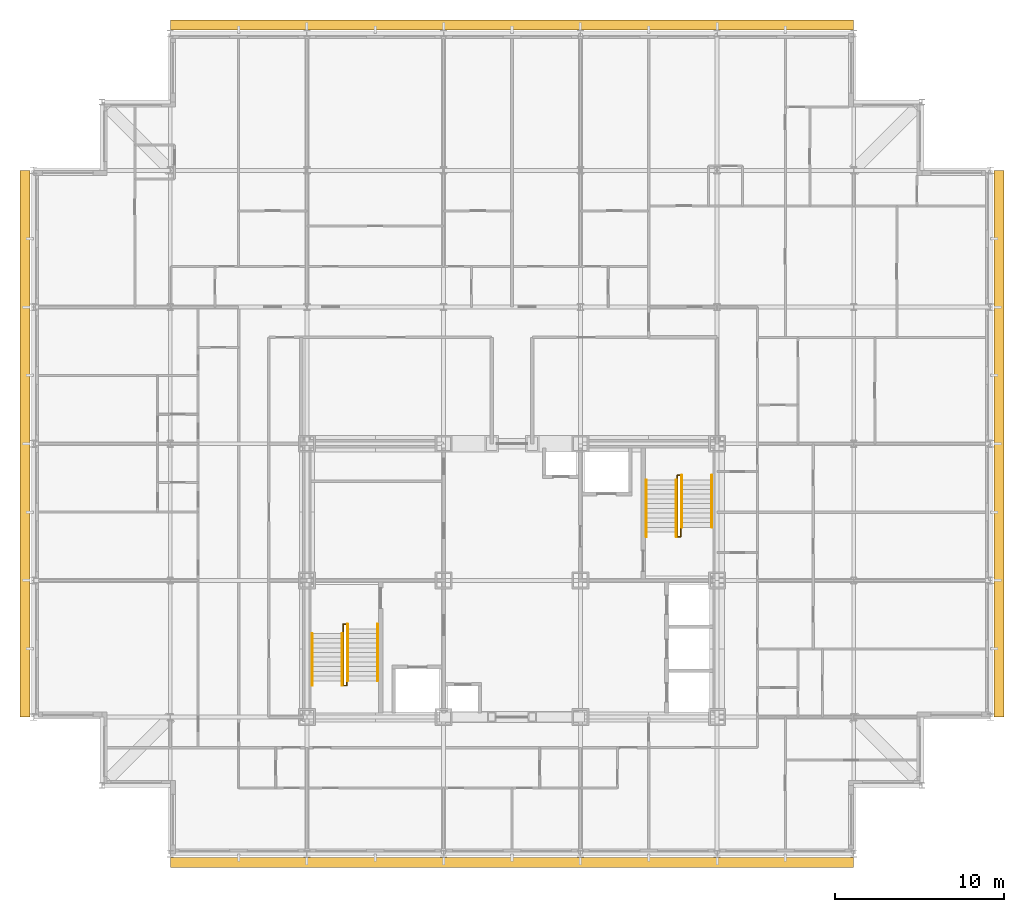
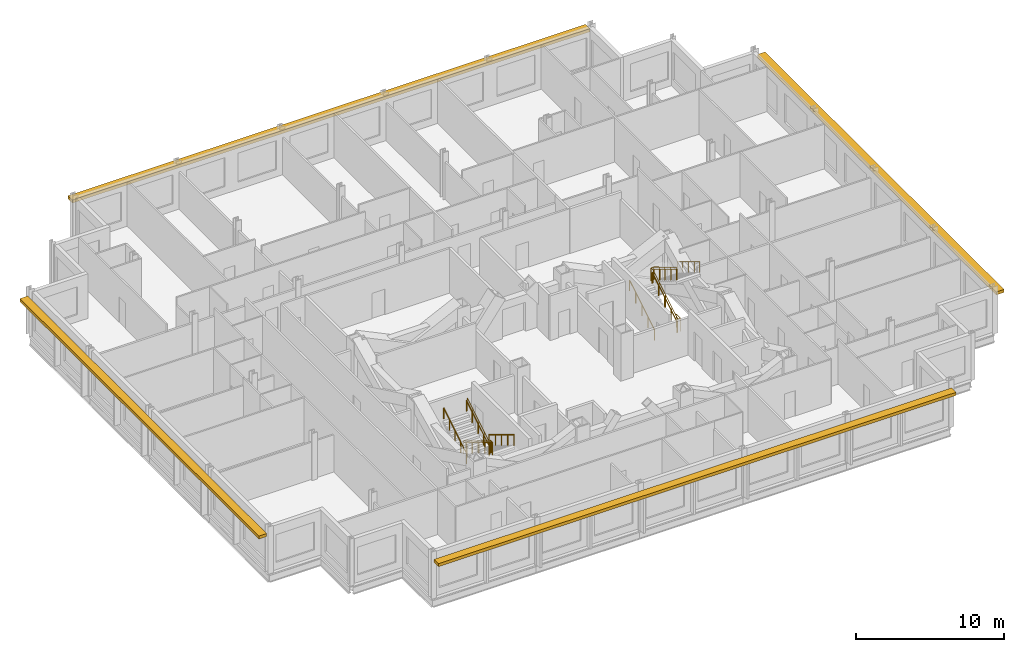
# One storey, part 15 of 15: 10 railings, 4 shading devices.
"""IFC4 building model written with IfcOpenShell, lengths in metres."""

import ifcopenshell
import ifcopenshell.guid

model = None  # the IFC model being written
_history = None  # IfcOwnerHistory: only IFC2X3 demands one
_inside = {}  # id of a spatial element -> (the spatial element, [elements in it])
_under = {}  # id of a project, library or spatial element -> (it, [spatial elements below it])
_declared = {}  # id of a project -> (the project, [libraries it declares])
_typed = {}  # id of a type object -> (the type object, [elements of that type])
_made_of = {}  # id of a material, layer set ... -> (it, [elements and type objects made of it])


def new_model(schema):
    """Start an empty IFC model of exactly this schema.

    Asked for "IFC4X3", IfcOpenShell would pick the latest addendum, in which some entities
    have other attributes; the version numbers below select the first issue.
    IFC2X3 requires an IfcOwnerHistory on every rooted entity: one is made here for all.
    """
    global model, _history
    if schema == "IFC4X3":
        model = ifcopenshell.file(schema_version=(4, 3, 0, 0))
    else:
        model = ifcopenshell.file(schema=schema)
    _inside.clear()
    _under.clear()
    _declared.clear()
    _typed.clear()
    _made_of.clear()
    _history = None
    if model.schema == "IFC2X3":
        org = make("IfcOrganization", Name="unknown")
        user = make(
            "IfcPersonAndOrganization",
            ThePerson=make("IfcPerson", FamilyName="unknown"),
            TheOrganization=org,
        )
        app = make(
            "IfcApplication",
            ApplicationDeveloper=org,
            Version="unknown",
            ApplicationFullName="unknown",
            ApplicationIdentifier="unknown",
        )
        _history = make(
            "IfcOwnerHistory",
            OwningUser=user,
            OwningApplication=app,
            ChangeAction="ADDED",
            CreationDate=0,
        )
    return model


def make(cls, **values):
    """One entity of the class cls with the attributes given. An attribute that is None is left unset."""
    return model.create_entity(
        cls, **{name: value for name, value in values.items() if value is not None}
    )


def rooted(cls, **values):
    """An entity with a GlobalId (a new one), such as an element, a storey or a relation."""
    return make(cls, GlobalId=ifcopenshell.guid.new(), OwnerHistory=_history, **values)


def si_unit(unit_type, name, prefix=None):
    """IfcSIUnit, for example si_unit("LENGTHUNIT", "METRE", prefix="MILLI")."""
    return make("IfcSIUnit", UnitType=unit_type, Prefix=prefix, Name=name)


def assignment(units):
    """IfcUnitAssignment: the units of a project."""
    return None if units is None else make("IfcUnitAssignment", Units=units)


def point(xyz):
    """IfcCartesianPoint."""
    return None if xyz is None else make("IfcCartesianPoint", Coordinates=xyz)


def direction(xyz):
    """IfcDirection."""
    return None if xyz is None else make("IfcDirection", DirectionRatios=xyz)


def frame(location, z_axis=None, x_axis=None):
    """IfcAxis2Placement3D, a coordinate frame: its origin and axes. An axis left out is left unset."""
    return make(
        "IfcAxis2Placement3D",
        Location=point(location),
        Axis=direction(z_axis),
        RefDirection=direction(x_axis),
    )


def frame_2d(location, x_axis=None):
    """IfcAxis2Placement2D, a coordinate frame in the plane: its origin and x axis."""
    return make(
        "IfcAxis2Placement2D", Location=point(location), RefDirection=direction(x_axis)
    )


def origin():
    """The frame at (0, 0, 0) with its axes left unset."""
    return frame((0.0, 0.0, 0.0))


def origin_2d():
    """The frame at (0, 0) in the plane with its x axis left unset."""
    return frame_2d((0.0, 0.0))


def place(relative_to, where):
    """IfcLocalPlacement: puts the frame where relative to a parent placement (None: the world)."""
    return make(
        "IfcLocalPlacement", PlacementRelTo=relative_to, RelativePlacement=where
    )


def context(
    kind, dimensions, precision=None, world=None, true_north=None, identifier=None
):
    """IfcGeometricRepresentationContext, for example the 3D "Model" context."""
    return make(
        "IfcGeometricRepresentationContext",
        ContextIdentifier=identifier,
        ContextType=kind,
        CoordinateSpaceDimension=dimensions,
        Precision=precision,
        WorldCoordinateSystem=world,
        TrueNorth=true_north,
    )


def subcontext(parent, identifier, kind, view, scale=None):
    """IfcGeometricRepresentationSubContext, for example "Body" below "Model"."""
    return make(
        "IfcGeometricRepresentationSubContext",
        ContextIdentifier=identifier,
        ContextType=kind,
        ParentContext=parent,
        TargetScale=scale,
        TargetView=view,
    )


def project(units=None, contexts=None):
    """IfcProject with its units and contexts."""
    return rooted(
        "IfcProject",
        Name="project",
        RepresentationContexts=contexts,
        UnitsInContext=assignment(units),
    )


def spatial(cls, under=None, at=None, **own):
    """A site, building, storey or space (cls), placed at a placement, below another one or the project."""
    s = rooted(cls, ObjectPlacement=at, **own)
    if under is not None:
        _under.setdefault(under.id(), (under, []))[1].append(s)
    return s


def profile(cls, at=None, kind="AREA", **sizes):
    """A parametric profile (cls). Its sizes go by their IFC names, for example OverallWidth=200.0."""
    return make(cls, ProfileType=kind, Position=at, **sizes)


def rectangle(**sizes):
    """IfcRectangleProfileDef."""
    return profile("IfcRectangleProfileDef", **sizes)


def circle(**sizes):
    """IfcCircleProfileDef."""
    return profile("IfcCircleProfileDef", **sizes)


def extrude(swept, where, along, depth):
    """IfcExtrudedAreaSolid: the profile swept, set in the frame where, extruded along a direction by depth."""
    return make(
        "IfcExtrudedAreaSolid",
        SweptArea=swept,
        Position=where,
        ExtrudedDirection=direction(along),
        Depth=depth,
    )


def shape(context_of_items, identifier, shape_type, items):
    """IfcShapeRepresentation: the items that make up one representation, for example the "Body"."""
    return make(
        "IfcShapeRepresentation",
        ContextOfItems=context_of_items,
        RepresentationIdentifier=identifier,
        RepresentationType=shape_type,
        Items=items,
    )


def material(Name=None, Category=None):
    """IfcMaterial."""
    return make("IfcMaterial", Name=Name, Category=Category)


def made_of(thing, what):
    """Note that an element or type object is made of a material, layer set ...; save() writes the relation."""
    if what is not None:
        _made_of.setdefault(what.id(), (what, []))[1].append(thing)
    return thing


def type_object(cls, material=None, **own):
    """A type object (cls), such as IfcWallType, which elements share."""
    return made_of(rooted(cls, **own), material)


def element(
    cls,
    number,
    at=None,
    inside=None,
    cuts=None,
    type_object=None,
    material=None,
    context=None,
    identifier="Body",
    shape_type=None,
    held_by="IfcProductDefinitionShape",
    body=None,
    shapes=None,
    **own,
):
    """One element of the class cls, such as IfcWall. Its Tag is "e" and its number.

    at: its placement. inside: the storey or other place that contains it. cuts: it is an
    opening in that element (IfcRelVoidsElement). A single representation is given by context,
    identifier, shape_type and body (its items); several are given by shapes. held_by: the class
    of the entity that holds the representations. save() writes the other relations.
    """
    e = rooted(cls, Tag="e%d" % number, ObjectPlacement=at, **own)
    if body is not None:
        shapes = [shape(context, identifier, shape_type, body)]
    if shapes is not None:
        e.Representation = make(held_by, Representations=shapes)
    if inside is not None:
        _inside.setdefault(inside.id(), (inside, []))[1].append(e)
    if cuts is not None:
        rooted(
            "IfcRelVoidsElement", RelatingBuildingElement=cuts, RelatedOpeningElement=e
        )
    if type_object is not None:
        _typed.setdefault(type_object.id(), (type_object, []))[1].append(e)
    return made_of(e, material)


def aggregate(whole, parts):
    """IfcRelAggregates: a whole, such as a stair, and the parts it consists of."""
    return rooted("IfcRelAggregates", RelatingObject=whole, RelatedObjects=parts)


def save(model, path):
    """Write the relations noted so far, then the file.

    IfcRelAggregates (storeys below a building ...), IfcRelContainedInSpatialStructure (elements
    in a storey), IfcRelDefinesByType, IfcRelAssociatesMaterial and IfcRelDeclares: one each for
    every whole, place, type object, material and project.
    """
    for whole, parts in _under.values():
        aggregate(whole, parts)
    for where, things in _inside.values():
        rooted(
            "IfcRelContainedInSpatialStructure",
            RelatedElements=things,
            RelatingStructure=where,
        )
    for kind, things in _typed.values():
        rooted("IfcRelDefinesByType", RelatedObjects=things, RelatingType=kind)
    for what, things in _made_of.values():
        rooted("IfcRelAssociatesMaterial", RelatedObjects=things, RelatingMaterial=what)
    for by, libraries in _declared.values():
        rooted("IfcRelDeclares", RelatingContext=by, RelatedDefinitions=libraries)
    model.write(path)


model = new_model("IFC4")

# Units and contexts
model_context = context("Model", 3, precision=1e-05, world=origin(), true_north=direction((0.0, 1.0)))
body_context = subcontext(model_context, "Body", "Model", "MODEL_VIEW")
ifc_project = project(units=[si_unit("LENGTHUNIT", "METRE"), si_unit("AREAUNIT", "SQUARE_METRE"), si_unit("VOLUMEUNIT", "CUBIC_METRE"), si_unit("PLANEANGLEUNIT", "RADIAN"), si_unit("MASSUNIT", "GRAM", prefix="KILO")], contexts=[model_context])

# Site, building, storey
site_placement = place(None, origin())
site = spatial("IfcSite", under=ifc_project, at=site_placement, CompositionType="ELEMENT")
building_placement = place(site_placement, origin())
building = spatial("IfcBuilding", under=site, at=building_placement, Name="Kopane Lantern Tower", CompositionType="ELEMENT")
storey_placement = place(building_placement, frame((0.0, 0.0, 289.199951171875)))
storey = spatial("IfcBuildingStorey", under=building, at=storey_placement, Name="L74", CompositionType="ELEMENT", Elevation=289.199951171875)

# Railings
ifc_material_1 = material(Name="Steel", Category="steel")
railing_type_1 = type_object("IfcRailingType", Name="STAIR GUARD 1100", PredefinedType="GUARDRAIL", material=ifc_material_1)
railing_1_placement = place(storey_placement, frame((18.35009765625, 29.25, 0.0)))
element("IfcRailing", 1, at=railing_1_placement, inside=storey, type_object=railing_type_1, Name="ST1 well guard L74", PredefinedType="GUARDRAIL", context=body_context, shape_type="SweptSolid", body=[
    extrude(circle(Radius=0.02392578125, at=origin_2d()), frame((0.0, 0.0, 1.076171875), z_axis=(0.0, 1.0, 0.0), x_axis=(-1.0, 0.0, 0.0)), (0.0, 0.0, 1.0), 0.56005859375),
    extrude(circle(Radius=0.02392578125, at=origin_2d()), frame((0.0, 0.56005859375, 1.076171875), z_axis=(1.0, 0.0, 0.0), x_axis=(0.0, 1.0, 0.0)), (0.0, 0.0, 1.0), 0.199951171875),
    extrude(circle(Radius=0.02392578125, at=origin_2d()), frame((0.199951171875, 0.56005859375, 1.076171875), z_axis=(0.0, -0.855368916264, 0.518019321155), x_axis=(1.0, 0.0, 0.0)), (0.0, 0.0, 1.0), 3.92822265625),
    extrude(circle(Radius=0.02392578125, at=origin_2d()), frame((0.199951171875, -2.800048828125, 3.11083984375), z_axis=(0.0, -1.0, 0.0), x_axis=(1.0, 0.0, 0.0)), (0.0, 0.0, 1.0), 0.280029296875),
    extrude(circle(Radius=0.02392578125, at=origin_2d()), frame((0.199951171875, -3.080078125, 3.11083984375), z_axis=(-1.0, 0.0, 0.0), x_axis=(0.0, -1.0, 0.0)), (0.0, 0.0, 1.0), 0.199951171875),
    extrude(circle(Radius=0.02392578125, at=origin_2d()), frame((0.0, -3.080078125, 3.11083984375), z_axis=(0.0, 0.855379917629, 0.518001154937), x_axis=(-1.0, 0.0, 0.0)), (0.0, 0.0, 1.0), 3.600830078125),
    extrude(circle(Radius=0.02099609375, at=origin_2d()), origin(), (0.0, 0.0, 1.0), 1.052001953125),
    extrude(circle(Radius=0.02099609375, at=origin_2d()), frame((0.0, 0.56005859375, 0.0)), (0.0, 0.0, 1.0), 1.052001953125),
    extrude(circle(Radius=0.02099609375, at=origin_2d()), frame((0.199951171875, 0.56005859375, 0.0)), (0.0, 0.0, 1.0), 1.052001953125),
    extrude(circle(Radius=0.02099609375, at=origin_2d()), frame((0.199951171875, -0.280029296875, 0.5087890625)), (0.0, 0.0, 1.0), 1.052001953125),
    extrude(circle(Radius=0.02099609375, at=origin_2d()), frame((0.199951171875, -1.1201171875, 1.017578125)), (0.0, 0.0, 1.0), 1.052001953125),
    extrude(circle(Radius=0.02099609375, at=origin_2d()), frame((0.199951171875, -1.9599609375, 1.526123046875)), (0.0, 0.0, 1.0), 1.052001953125),
    extrude(circle(Radius=0.02099609375, at=origin_2d()), frame((0.199951171875, -2.800048828125, 2.034912109375)), (0.0, 0.0, 1.0), 1.052001953125),
    extrude(circle(Radius=0.02099609375, at=origin_2d()), frame((0.199951171875, -3.080078125, 2.034912109375)), (0.0, 0.0, 1.0), 1.052001953125),
    extrude(circle(Radius=0.02099609375, at=origin_2d()), frame((0.0, -3.080078125, 2.034912109375)), (0.0, 0.0, 1.0), 1.052001953125),
    extrude(circle(Radius=0.02099609375, at=origin_2d()), frame((0.0, -2.31005859375, 2.501220703125)), (0.0, 0.0, 1.0), 1.052001953125),
    extrude(circle(Radius=0.02099609375, at=origin_2d()), frame((0.0, -1.5400390625, 2.967529296875)), (0.0, 0.0, 1.0), 1.052001953125),
    extrude(circle(Radius=0.02099609375, at=origin_2d()), frame((0.0, -0.77001953125, 3.433837890625)), (0.0, 0.0, 1.0), 1.052001953125),
    extrude(circle(Radius=0.02099609375, at=origin_2d()), frame((0.0, 0.0, 3.900146484375)), (0.0, 0.0, 1.0), 1.052001953125),
])
railing_2_placement = place(storey_placement, frame((38.35009765625, 35.550048828125, 0.0)))
element("IfcRailing", 2, at=railing_2_placement, inside=storey, type_object=railing_type_1, Name="ST2 well guard L74", PredefinedType="GUARDRAIL", context=body_context, shape_type="SweptSolid", body=[
    extrude(circle(Radius=0.02392578125, at=origin_2d()), frame((0.0, 0.0, 1.076171875), z_axis=(0.0, -1.0, 0.0), x_axis=(1.0, 0.0, 0.0)), (0.0, 0.0, 1.0), 0.56005859375),
    extrude(circle(Radius=0.02392578125, at=origin_2d()), frame((0.0, -0.56005859375, 1.076171875), z_axis=(-1.0, 0.0, 0.0), x_axis=(0.0, -1.0, 0.0)), (0.0, 0.0, 1.0), 0.2001953125),
    extrude(circle(Radius=0.02392578125, at=origin_2d()), frame((-0.2001953125, -0.56005859375, 1.076171875), z_axis=(0.0, 0.855368916264, 0.518019321155), x_axis=(-1.0, 0.0, 0.0)), (0.0, 0.0, 1.0), 3.92822265625),
    extrude(circle(Radius=0.02392578125, at=origin_2d()), frame((-0.2001953125, 2.800048828125, 3.11083984375), z_axis=(0.0, 1.0, 0.0), x_axis=(-1.0, 0.0, 0.0)), (0.0, 0.0, 1.0), 0.27978515625),
    extrude(circle(Radius=0.02392578125, at=origin_2d()), frame((-0.2001953125, 3.079833984375, 3.11083984375), z_axis=(1.0, 0.0, 0.0), x_axis=(0.0, 1.0, 0.0)), (0.0, 0.0, 1.0), 0.2001953125),
    extrude(circle(Radius=0.02392578125, at=origin_2d()), frame((0.0, 3.079833984375, 3.11083984375), z_axis=(0.0, -0.855361723277, 0.518031198243), x_axis=(1.0, 0.0, 0.0)), (0.0, 0.0, 1.0), 3.6005859375),
    extrude(circle(Radius=0.02099609375, at=origin_2d()), origin(), (0.0, 0.0, 1.0), 1.052001953125),
    extrude(circle(Radius=0.02099609375, at=origin_2d()), frame((0.0, -0.56005859375, 0.0)), (0.0, 0.0, 1.0), 1.052001953125),
    extrude(circle(Radius=0.02099609375, at=origin_2d()), frame((-0.2001953125, -0.56005859375, 0.0)), (0.0, 0.0, 1.0), 1.052001953125),
    extrude(circle(Radius=0.02099609375, at=origin_2d()), frame((-0.2001953125, 0.280029296875, 0.5087890625)), (0.0, 0.0, 1.0), 1.052001953125),
    extrude(circle(Radius=0.02099609375, at=origin_2d()), frame((-0.2001953125, 1.1201171875, 1.017578125)), (0.0, 0.0, 1.0), 1.052001953125),
    extrude(circle(Radius=0.02099609375, at=origin_2d()), frame((-0.2001953125, 1.9599609375, 1.526123046875)), (0.0, 0.0, 1.0), 1.052001953125),
    extrude(circle(Radius=0.02099609375, at=origin_2d()), frame((-0.2001953125, 2.800048828125, 2.034912109375)), (0.0, 0.0, 1.0), 1.052001953125),
    extrude(circle(Radius=0.02099609375, at=origin_2d()), frame((-0.2001953125, 3.079833984375, 2.034912109375)), (0.0, 0.0, 1.0), 1.052001953125),
    extrude(circle(Radius=0.02099609375, at=origin_2d()), frame((0.0, 3.079833984375, 2.034912109375)), (0.0, 0.0, 1.0), 1.052001953125),
    extrude(circle(Radius=0.02099609375, at=origin_2d()), frame((0.0, 2.309814453125, 2.501220703125)), (0.0, 0.0, 1.0), 1.052001953125),
    extrude(circle(Radius=0.02099609375, at=origin_2d()), frame((0.0, 1.5400390625, 2.967529296875)), (0.0, 0.0, 1.0), 1.052001953125),
    extrude(circle(Radius=0.02099609375, at=origin_2d()), frame((0.0, 0.77001953125, 3.433837890625)), (0.0, 0.0, 1.0), 1.052001953125),
    extrude(circle(Radius=0.02099609375, at=origin_2d()), frame((0.0, 0.0, 3.900146484375)), (0.0, 0.0, 1.0), 1.052001953125),
])
ifc_material_2 = material(Name="Steel", Category="steel")
railing_type_2 = type_object("IfcRailingType", Name="STAIR HANDRAIL 900", PredefinedType="HANDRAIL", material=ifc_material_2)
for number, where, name in (
    (3, (20.389892578125, 29.81005859375, 0.0), "ST1 handrail L74 flight 1"),
    (4, (18.610107421875, 29.81005859375, 0.0), "ST1 handrail L74 flight 1"),
):
    element("IfcRailing", number, at=place(storey_placement, frame(where)), inside=storey, type_object=railing_type_2, Name=name, PredefinedType="HANDRAIL", context=body_context, shape_type="SweptSolid", body=[
        extrude(circle(Radius=0.02392578125, at=origin_2d()), frame((0.0, 0.0, 0.8759765625), z_axis=(0.0, -0.855368916264, 0.518019321155), x_axis=(1.0, 0.0, 0.0)), (0.0, 0.0, 1.0), 3.92822265625),
        extrude(circle(Radius=0.02099609375, at=origin_2d()), origin(), (0.0, 0.0, 1.0), 0.851806640625),
        extrude(circle(Radius=0.02099609375, at=origin_2d()), frame((0.0, -0.840087890625, 0.5087890625)), (0.0, 0.0, 1.0), 0.851806640625),
        extrude(circle(Radius=0.02099609375, at=origin_2d()), frame((0.0, -1.68017578125, 1.017578125)), (0.0, 0.0, 1.0), 0.851806640625),
        extrude(circle(Radius=0.02099609375, at=origin_2d()), frame((0.0, -2.52001953125, 1.526123046875)), (0.0, 0.0, 1.0), 0.851806640625),
        extrude(circle(Radius=0.02099609375, at=origin_2d()), frame((0.0, -3.360107421875, 2.034912109375)), (0.0, 0.0, 1.0), 0.851806640625),
    ])
for number, where, name in (
    (5, (16.510009765625, 26.169921875, 2.034912109375), "ST1 handrail L74 flight 2"),
    (6, (18.2900390625, 26.169921875, 2.034912109375), "ST1 handrail L74 flight 2"),
):
    element("IfcRailing", number, at=place(storey_placement, frame(where)), inside=storey, type_object=railing_type_2, Name=name, PredefinedType="HANDRAIL", context=body_context, shape_type="SweptSolid", body=[
        extrude(circle(Radius=0.02392578125, at=origin_2d()), frame((0.0, 0.0, 0.8759765625), z_axis=(0.0, 0.855379917629, 0.518001154937), x_axis=(-1.0, 0.0, 0.0)), (0.0, 0.0, 1.0), 3.600830078125),
        extrude(circle(Radius=0.02099609375, at=origin_2d()), origin(), (0.0, 0.0, 1.0), 0.851806640625),
        extrude(circle(Radius=0.02099609375, at=origin_2d()), frame((0.0, 0.77001953125, 0.46630859375)), (0.0, 0.0, 1.0), 0.851806640625),
        extrude(circle(Radius=0.02099609375, at=origin_2d()), frame((0.0, 1.5400390625, 0.9326171875)), (0.0, 0.0, 1.0), 0.851806640625),
        extrude(circle(Radius=0.02099609375, at=origin_2d()), frame((0.0, 2.31005859375, 1.39892578125)), (0.0, 0.0, 1.0), 0.851806640625),
        extrude(circle(Radius=0.02099609375, at=origin_2d()), frame((0.0, 3.080078125, 1.865234375)), (0.0, 0.0, 1.0), 0.851806640625),
    ])
for number, where, name in (
    (7, (36.31005859375, 34.989990234375, 0.0), "ST2 handrail L74 flight 1"),
    (8, (38.090087890625, 34.989990234375, 0.0), "ST2 handrail L74 flight 1"),
):
    element("IfcRailing", number, at=place(storey_placement, frame(where)), inside=storey, type_object=railing_type_2, Name=name, PredefinedType="HANDRAIL", context=body_context, shape_type="SweptSolid", body=[
        extrude(circle(Radius=0.02392578125, at=origin_2d()), frame((0.0, 0.0, 0.8759765625), z_axis=(0.0, 0.855368916264, 0.518019321155), x_axis=(-1.0, 0.0, 0.0)), (0.0, 0.0, 1.0), 3.92822265625),
        extrude(circle(Radius=0.02099609375, at=origin_2d()), origin(), (0.0, 0.0, 1.0), 0.851806640625),
        extrude(circle(Radius=0.02099609375, at=origin_2d()), frame((0.0, 0.840087890625, 0.5087890625)), (0.0, 0.0, 1.0), 0.851806640625),
        extrude(circle(Radius=0.02099609375, at=origin_2d()), frame((0.0, 1.68017578125, 1.017578125)), (0.0, 0.0, 1.0), 0.851806640625),
        extrude(circle(Radius=0.02099609375, at=origin_2d()), frame((0.0, 2.52001953125, 1.526123046875)), (0.0, 0.0, 1.0), 0.851806640625),
        extrude(circle(Radius=0.02099609375, at=origin_2d()), frame((0.0, 3.360107421875, 2.034912109375)), (0.0, 0.0, 1.0), 0.851806640625),
    ])
for number, where, name in (
    (9, (40.18994140625, 38.6298828125, 2.034912109375), "ST2 handrail L74 flight 2"),
    (10, (38.409912109375, 38.6298828125, 2.034912109375), "ST2 handrail L74 flight 2"),
):
    element("IfcRailing", number, at=place(storey_placement, frame(where)), inside=storey, type_object=railing_type_2, Name=name, PredefinedType="HANDRAIL", context=body_context, shape_type="SweptSolid", body=[
        extrude(circle(Radius=0.02392578125, at=origin_2d()), frame((0.0, 0.0, 0.8759765625), z_axis=(0.0, -0.855361723277, 0.518031198243), x_axis=(1.0, 0.0, 0.0)), (0.0, 0.0, 1.0), 3.6005859375),
        extrude(circle(Radius=0.02099609375, at=origin_2d()), origin(), (0.0, 0.0, 1.0), 0.851806640625),
        extrude(circle(Radius=0.02099609375, at=origin_2d()), frame((0.0, -0.77001953125, 0.46630859375)), (0.0, 0.0, 1.0), 0.851806640625),
        extrude(circle(Radius=0.02099609375, at=origin_2d()), frame((0.0, -1.5400390625, 0.9326171875)), (0.0, 0.0, 1.0), 0.851806640625),
        extrude(circle(Radius=0.02099609375, at=origin_2d()), frame((0.0, -2.309814453125, 1.39892578125)), (0.0, 0.0, 1.0), 0.851806640625),
        extrude(circle(Radius=0.02099609375, at=origin_2d()), frame((0.0, -3.079833984375, 1.865234375)), (0.0, 0.0, 1.0), 0.851806640625),
    ])

# Shading devices
ifc_material_3 = material(Name="Terracotta rainscreen on light steel framing", Category="masonry")
shading_device_type = type_object("IfcShadingDeviceType", Name="SUNSHADE BAND SB1 600 TERRACOTTA", PredefinedType="USERDEFINED", material=ifc_material_3)
shading_device_1_placement = place(storey_placement, frame((28.35009765625, 15.6904296875, 3.0), z_axis=(0.0, 0.0, 1.0), x_axis=(1.0, 0.0, 0.0)))
element("IfcShadingDevice", 11, at=shading_device_1_placement, inside=storey, type_object=shading_device_type, Name="Sunshade band S L74", ObjectType="SUNSHADE BAND", PredefinedType="USERDEFINED", context=body_context, shape_type="SweptSolid", body=[
    extrude(rectangle(XDim=40.5, YDim=0.60009765625, at=origin_2d()), origin(), (0.0, 0.0, 1.0), 0.25),
])
shading_device_2_placement = place(storey_placement, frame((57.20361328125, 40.5, 3.0), z_axis=(0.0, 0.0, 1.0), x_axis=(0.0, 1.0, 0.0)))
element("IfcShadingDevice", 12, at=shading_device_2_placement, inside=storey, type_object=shading_device_type, Name="Sunshade band E L74", ObjectType="SUNSHADE BAND", PredefinedType="USERDEFINED", context=body_context, shape_type="SweptSolid", body=[
    extrude(rectangle(XDim=32.39990234375, YDim=0.60009765625, at=origin_2d()), origin(), (0.0, 0.0, 1.0), 0.25),
])
shading_device_3_placement = place(storey_placement, frame((28.35009765625, 65.3095703125, 3.0), z_axis=(0.0, 0.0, 1.0), x_axis=(-1.0, 0.0, 0.0)))
element("IfcShadingDevice", 13, at=shading_device_3_placement, inside=storey, type_object=shading_device_type, Name="Sunshade band N L74", ObjectType="SUNSHADE BAND", PredefinedType="USERDEFINED", context=body_context, shape_type="SweptSolid", body=[
    extrude(rectangle(XDim=40.5, YDim=0.60009765625, at=origin_2d()), origin(), (0.0, 0.0, 1.0), 0.25),
])
shading_device_4_placement = place(storey_placement, frame((-0.50341796875, 40.5, 3.0), z_axis=(0.0, 0.0, 1.0), x_axis=(0.0, -1.0, 0.0)))
element("IfcShadingDevice", 14, at=shading_device_4_placement, inside=storey, type_object=shading_device_type, Name="Sunshade band W L74", ObjectType="SUNSHADE BAND", PredefinedType="USERDEFINED", context=body_context, shape_type="SweptSolid", body=[
    extrude(rectangle(XDim=32.39990234375, YDim=0.60009765625, at=origin_2d()), origin(), (0.0, 0.0, 1.0), 0.25),
])

save(model, "model.ifc")
